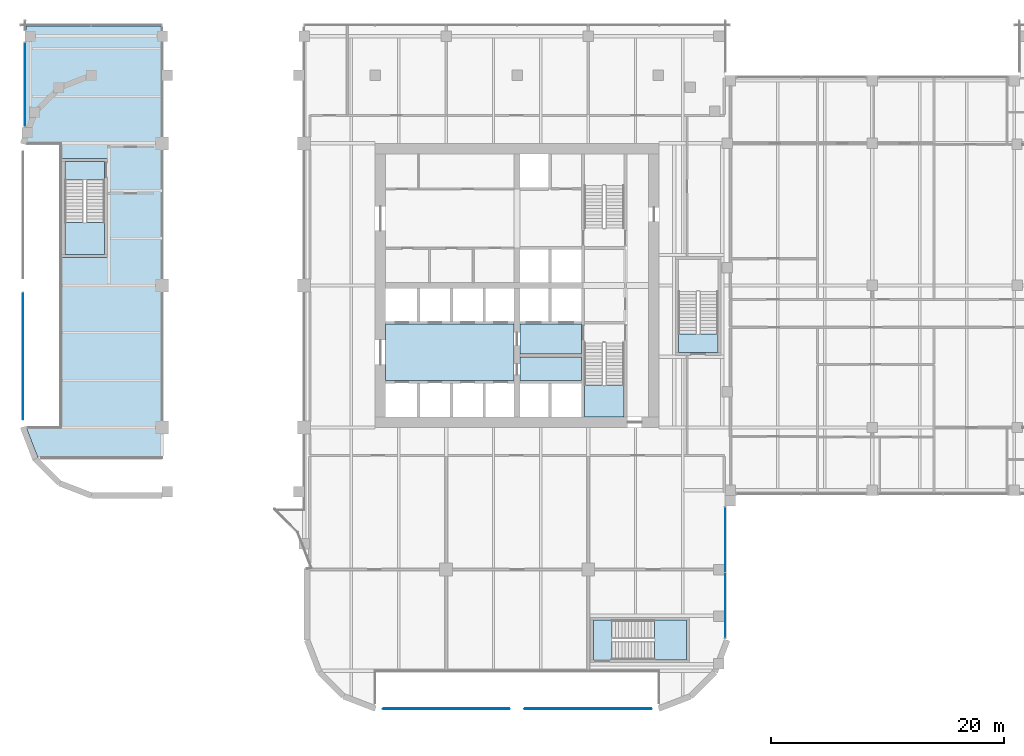
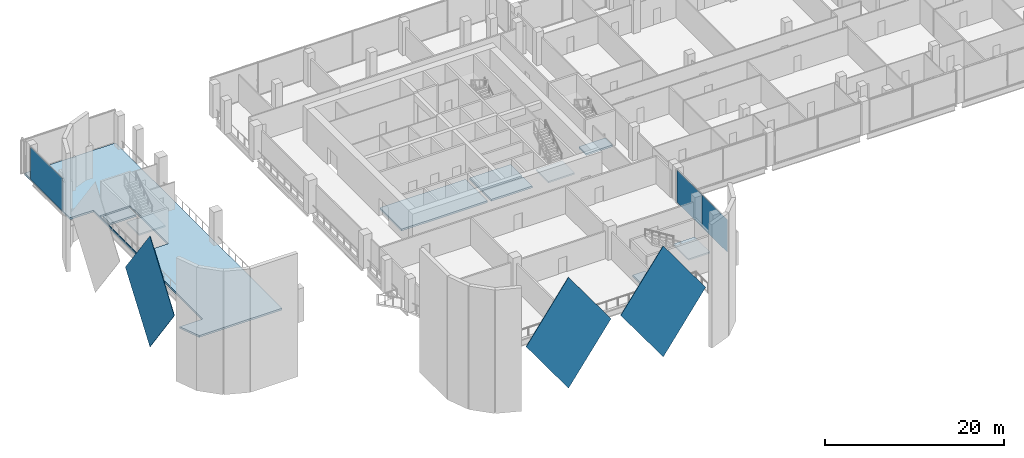
# One storey, part 18 of 33: 10 slabs, 6 plates, 5 elements without a shape of their own.
"""IFC4 building model written with IfcOpenShell, lengths in metres."""

from ifc_helpers import new_model, si_unit, direction, frame, origin, origin_2d, place, context, subcontext, project, spatial, polyline, rectangle, outline, extrude, source, transform, mapped, material, layer, layer_set, type_object, element, aggregate, save


model = new_model("IFC4")

# Units and contexts
model_context = context("Model", 3, precision=1e-05, world=origin(), true_north=direction((0.0, 1.0)))
body_context = subcontext(model_context, "Body", "Model", "MODEL_VIEW")
ifc_project = project(units=[si_unit("LENGTHUNIT", "METRE"), si_unit("AREAUNIT", "SQUARE_METRE"), si_unit("VOLUMEUNIT", "CUBIC_METRE"), si_unit("PLANEANGLEUNIT", "RADIAN"), si_unit("MASSUNIT", "GRAM", prefix="KILO")], contexts=[model_context])

# Site, building, storey
site_placement = place(None, origin())
site = spatial("IfcSite", under=ifc_project, at=site_placement, CompositionType="ELEMENT")
building_placement = place(site_placement, origin())
building = spatial("IfcBuilding", under=site, at=building_placement, Name="Tessera Gate Towers", CompositionType="ELEMENT")
storey_placement = place(building_placement, frame((0.0, 0.0, 7.199951171875)))
storey = spatial("IfcBuildingStorey", under=building, at=storey_placement, Name="L01", CompositionType="ELEMENT", Elevation=7.199951171875)

# Slabs
ifc_material_1 = material(Name="Concrete C35/45", Category="concrete")
ifc_layer_1 = layer(ifc_material_1, 0.25)
ifc_layer_set_1 = layer_set([ifc_layer_1], Name="COMPOSITE FLOOR 250")
slab_type_1 = type_object("IfcSlabType", Name="COMPOSITE FLOOR 250", PredefinedType="FLOOR", material=ifc_layer_set_1)
slab_1_placement = place(storey_placement, frame((0.0, 0.0, -0.25)))
element("IfcSlab", 1, at=slab_1_placement, inside=storey, type_object=slab_type_1, Name="PD-L01-1", PredefinedType="FLOOR", context=body_context, shape_type="SweptSolid", body=[
    extrude(outline(polyline([(0.5, 48.800048828125), (3.5, 48.800048828125), (3.5, 24.39990234375), (0.535888671875, 24.39990234375), (1.526123046875, 21.8330078125), (1.55908203125, 21.800048828125), (12.199951171875, 21.800048828125), (12.199951171875, 58.89990234375), (0.5, 58.89990234375), (0.5, 48.800048828125)]), holes=[polyline([(3.60009765625, 39.0), (3.60009765625, 47.5), (7.5, 47.5), (7.5, 39.0), (3.60009765625, 39.0)])]), origin(), (0.0, 0.0, 1.0), 0.25),
])
ifc_material_2 = material(Name="Concrete C35/45", Category="concrete")
ifc_layer_2 = layer(ifc_material_2, 0.25)
ifc_layer_set_2 = layer_set([ifc_layer_2], Name="CORE FLOOR SLAB 250")
slab_type_2 = type_object("IfcSlabType", Name="CORE FLOOR SLAB 250", PredefinedType="FLOOR", material=ifc_layer_set_2)
slab_2_placement = place(storey_placement, frame((0.0, 0.0, -0.25)))
element("IfcSlab", 2, at=slab_2_placement, inside=storey, type_object=slab_type_2, Name="L01 core floor slab", PredefinedType="FLOOR", context=body_context, shape_type="SweptSolid", body=[
    extrude(outline(polyline([(42.449951171875, 28.425048828125), (42.449951171875, 33.27490234375), (31.39990234375, 33.27490234375), (31.39990234375, 28.425048828125), (42.449951171875, 28.425048828125)])), origin(), (0.0, 0.0, 1.0), 0.25),
])
slab_3_placement = place(storey_placement, frame((0.0, 0.0, -0.25)))
element("IfcSlab", 3, at=slab_3_placement, inside=storey, type_object=slab_type_2, Name="L01 core floor slab", PredefinedType="FLOOR", context=body_context, shape_type="SweptSolid", body=[
    extrude(outline(polyline([(42.949951171875, 33.27490234375), (42.949951171875, 30.72509765625), (48.22509765625, 30.72509765625), (48.22509765625, 33.27490234375), (42.949951171875, 33.27490234375)])), origin(), (0.0, 0.0, 1.0), 0.25),
])
slab_4_placement = place(storey_placement, frame((0.0, 0.0, -0.25)))
element("IfcSlab", 4, at=slab_4_placement, inside=storey, type_object=slab_type_2, Name="L01 core floor slab", PredefinedType="FLOOR", context=body_context, shape_type="SweptSolid", body=[
    extrude(outline(polyline([(42.949951171875, 30.47509765625), (42.949951171875, 28.425048828125), (48.22509765625, 28.425048828125), (48.22509765625, 30.47509765625), (42.949951171875, 30.47509765625)])), origin(), (0.0, 0.0, 1.0), 0.25),
])
slab_5_placement = place(storey_placement, frame((0.0, 0.0, -0.25)))
element("IfcSlab", 5, at=slab_5_placement, inside=storey, type_object=slab_type_2, Name="L01 ST3 floor landing", PredefinedType="FLOOR", context=body_context, shape_type="SweptSolid", body=[
    extrude(outline(polyline([(3.85009765625, 47.25), (3.85009765625, 45.64990234375), (7.25, 45.64990234375), (7.25, 47.25), (3.85009765625, 47.25)])), origin(), (0.0, 0.0, 1.0), 0.25),
])
slab_6_placement = place(storey_placement, frame((0.0, 0.0, -0.25)))
element("IfcSlab", 6, at=slab_6_placement, inside=storey, type_object=slab_type_2, Name="L01 ST4 floor landing", PredefinedType="FLOOR", context=body_context, shape_type="SweptSolid", body=[
    extrude(outline(polyline([(49.25, 4.449951171875), (50.85009765625, 4.449951171875), (50.85009765625, 7.85009765625), (49.25, 7.85009765625), (49.25, 4.449951171875)])), origin(), (0.0, 0.0, 1.0), 0.25),
])
slab_7_placement = place(storey_placement, frame((0.0, 0.0, -0.25)))
element("IfcSlab", 7, at=slab_7_placement, inside=storey, type_object=slab_type_2, Name="L01 ST5 floor landing", PredefinedType="FLOOR", context=body_context, shape_type="SweptSolid", body=[
    extrude(outline(polyline([(59.949951171875, 30.85009765625), (59.949951171875, 32.449951171875), (56.550048828125, 32.449951171875), (56.550048828125, 30.85009765625), (59.949951171875, 30.85009765625)])), origin(), (0.0, 0.0, 1.0), 0.25),
])

# Stair, slab
ifc_material_3 = material(Name="Concrete C40/50", Category="concrete")
stair_type_1 = type_object("IfcStairType", Name="EXIT STAIR ST1A 1600", PredefinedType="HALF_TURN_STAIR", material=ifc_material_3)
stair_1_placement = place(storey_placement, origin())
stair_1 = element("IfcStair", 8, at=stair_1_placement, inside=storey, type_object=stair_type_1, Name="L01 Protected Exit Stair ST1", PredefinedType="HALF_TURN_STAIR")
ifc_material_4 = material(Name="Concrete C40/50", Category="concrete")
ifc_layer_3 = layer(ifc_material_4, 0.199951171875)
ifc_layer_set_3 = layer_set([ifc_layer_3], Name="EXIT STAIR LANDING 200")
slab_type_3 = type_object("IfcSlabType", Name="EXIT STAIR LANDING 200", PredefinedType="LANDING", material=ifc_layer_set_3)
slab_8_placement = place(storey_placement, frame((0.0, 0.0, 2.199951171875)))
slab_8 = element("IfcSlab", 9, at=slab_8_placement, type_object=slab_type_3, Name="ST1 landing 1", PredefinedType="LANDING", context=body_context, shape_type="SweptSolid", body=[
    extrude(outline(polyline([(48.47509765625, 28.034912109375), (48.47509765625, 25.300048828125), (51.875, 25.300048828125), (51.875, 28.034912109375), (48.47509765625, 28.034912109375)])), origin(), (0.0, 0.0, 1.0), 0.2001953125),
])
aggregate(stair_1, [slab_8])

ifc_material_5 = material(Name="Concrete C40/50", Category="concrete")
stair_type_2 = type_object("IfcStairType", Name="EXIT STAIR ST3A 1600", PredefinedType="HALF_TURN_STAIR", material=ifc_material_5)
stair_2_placement = place(storey_placement, origin())
stair_2 = element("IfcStair", 10, at=stair_2_placement, inside=storey, type_object=stair_type_2, Name="L01 West Exit Stair ST3", PredefinedType="HALF_TURN_STAIR")
slab_9_placement = place(storey_placement, frame((0.0, 0.0, 2.199951171875)))
slab_9 = element("IfcSlab", 11, at=slab_9_placement, type_object=slab_type_3, Name="ST3 landing 1", PredefinedType="LANDING", context=body_context, shape_type="SweptSolid", body=[
    extrude(outline(polyline([(3.85009765625, 42.010009765625), (3.85009765625, 39.25), (7.25, 39.25), (7.25, 42.010009765625), (3.85009765625, 42.010009765625)])), origin(), (0.0, 0.0, 1.0), 0.2001953125),
])
aggregate(stair_2, [slab_9])

ifc_material_6 = material(Name="Concrete C40/50", Category="concrete")
stair_type_3 = type_object("IfcStairType", Name="EXIT STAIR ST4A 1600", PredefinedType="HALF_TURN_STAIR", material=ifc_material_6)
stair_3_placement = place(storey_placement, origin())
stair_3 = element("IfcStair", 12, at=stair_3_placement, inside=storey, type_object=stair_type_3, Name="L01 South Exit Stair ST4", PredefinedType="HALF_TURN_STAIR")
slab_10_placement = place(storey_placement, frame((0.0, 0.0, 2.199951171875)))
slab_10 = element("IfcSlab", 13, at=slab_10_placement, type_object=slab_type_3, Name="ST4 landing 1", PredefinedType="LANDING", context=body_context, shape_type="SweptSolid", body=[
    extrude(outline(polyline([(54.489990234375, 4.449951171875), (57.25, 4.449951171875), (57.25, 7.85009765625), (54.489990234375, 7.85009765625), (54.489990234375, 4.449951171875)])), origin(), (0.0, 0.0, 1.0), 0.2001953125),
])
aggregate(stair_3, [slab_10])

# Curtain wall, plates
ifc_material_7 = material(Name="Aluminium frame", Category="aluminium")
curtain_wall_type = type_object("IfcCurtainWallType", Name="CW-S1 podium storefront", PredefinedType="NOTDEFINED", material=ifc_material_7)
curtain_wall_1_placement = place(storey_placement, origin())
curtain_wall_1 = element("IfcCurtainWall", 14, at=curtain_wall_1_placement, inside=storey, type_object=curtain_wall_type, Name="Curtain wall podium storefront 0148", PredefinedType="NOTDEFINED")
ifc_material_8 = material(Name="Low-e laminated glass", Category="glass")
ifc_layer_4 = layer(ifc_material_8, 0.028076171875)
ifc_layer_set_4 = layer_set([ifc_layer_4], Name="PN-S1 glass panel 28")
plate_type_1 = type_object("IfcPlateType", Name="PN-S1 glass panel 28", PredefinedType="CURTAIN_PANEL", material=ifc_layer_set_4)
plate_1_placement = place(storey_placement, frame((60.574951171875, 9.119873046875, 0.06005859375), z_axis=(0.0, 0.0, 1.0), x_axis=(0.0, 1.0, 0.0)))
plate_1 = element("IfcPlate", 15, at=plate_1_placement, type_object=plate_type_1, Name="PD-CW1-0148 panel 1.1", PredefinedType="CURTAIN_PANEL", context=body_context, shape_type="SweptSolid", body=[
    extrude(rectangle(XDim=5.586669921875, YDim=0.028076171875, at=origin_2d()), origin(), (0.0, 0.0, 1.0), 4.429931640625),
])
plate_2_placement = place(storey_placement, frame((60.574951171875, 14.7666015625, 0.06005859375), z_axis=(0.0, 0.0, 1.0), x_axis=(0.0, 1.0, 0.0)))
plate_2 = element("IfcPlate", 16, at=plate_2_placement, type_object=plate_type_1, Name="PD-CW1-0148 panel 2.1", PredefinedType="CURTAIN_PANEL", context=body_context, shape_type="SweptSolid", body=[
    extrude(rectangle(XDim=5.586669921875, YDim=0.028076171875, at=origin_2d()), origin(), (0.0, 0.0, 1.0), 4.429931640625),
])
aggregate(curtain_wall_1, [plate_1, plate_2])

# Curtain wall, plate
curtain_wall_2_placement = place(storey_placement, origin())
curtain_wall_2 = element("IfcCurtainWall", 17, at=curtain_wall_2_placement, inside=storey, type_object=curtain_wall_type, Name="Curtain wall podium storefront 0215", PredefinedType="NOTDEFINED")
plate_3_placement = place(storey_placement, frame((0.425048828125, 53.860107421875, 0.06005859375), z_axis=(0.0, 0.0, 1.0), x_axis=(0.0, -1.0, 0.0)))
plate_3 = element("IfcPlate", 18, at=plate_3_placement, type_object=plate_type_1, Name="PD-CW1-0215 panel 1.1", PredefinedType="CURTAIN_PANEL", context=body_context, shape_type="SweptSolid", body=[
    extrude(rectangle(XDim=7.199951171875, YDim=0.028076171875, at=origin_2d()), origin(), (0.0, 0.0, 1.0), 4.429931640625),
])
aggregate(curtain_wall_2, [plate_3])

# Plates
ifc_material_9 = material(Name="Low-e laminated glass", Category="glass")
ifc_layer_5 = layer(ifc_material_9, 0.06005859375)
ifc_layer_set_5 = layer_set([ifc_layer_5], Name="PL2 rhombic pane")
plate_type_2 = type_object("IfcPlateType", Name="PL2 rhombic pane", PredefinedType="SHEET", material=ifc_layer_set_5)
shared_shape_1 = source(origin(), body_context, "Body", "SweptSolid", [
    extrude(outline(polyline([(5.440185546875, 0.0), (10.92236328125, 7.549072265625), (5.440185546875, 15.09814453125), (0.0, 7.549072265625), (5.440185546875, 0.0)])), frame((0.0, 0.030029296875, 0.0), z_axis=(0.0, -1.0, 0.0), x_axis=(1.0, 0.0, 0.0)), (0.0, 0.0, 1.0), 0.06005859375),
])
plate_4_placement = place(storey_placement, frame((31.15966796875, 0.25, -6.34912109375), z_axis=(0.0, 0.0, 1.0), x_axis=(1.0, 0.0, 0.0)))
element("IfcPlate", 19, at=plate_4_placement, inside=storey, type_object=plate_type_2, Name="Glass pane T1 PL2-2115", PredefinedType="SHEET", context=body_context, shape_type="MappedRepresentation", body=[
    mapped(shared_shape_1, transform((0.0, 0.0, 0.0), scale=1.0)),
])
shared_shape_2 = source(origin(), body_context, "Body", "SweptSolid", [
    extrude(outline(polyline([(5.482177734375, 0.0), (10.92236328125, 7.549072265625), (5.482177734375, 15.09814453125), (0.0, 7.549072265625), (5.482177734375, 0.0)])), frame((0.0, 0.030029296875, 0.0), z_axis=(0.0, -1.0, 0.0), x_axis=(1.0, 0.0, 0.0)), (0.0, 0.0, 1.0), 0.06005859375),
])
for number, where, z_axis, x_axis, name in (
    (20, (43.31787109375, 0.25, -6.34912109375), (0.0, 0.0, 1.0), (1.0, 0.0, 0.0), "Glass pane T1 PL2-2116"),
    (21, (0.25, 35.982177734375, -6.34912109375), (0.0, 0.0, 1.0), (0.0, -1.0, 0.0), "Glass pane T1 PL2-2118"),
):
    element("IfcPlate", number, at=place(storey_placement, frame(where, z_axis=z_axis, x_axis=x_axis)), inside=storey, type_object=plate_type_2, Name=name, PredefinedType="SHEET", context=body_context, shape_type="MappedRepresentation", body=[
        mapped(shared_shape_2, transform((0.0, 0.0, 0.0), scale=1.0)),
    ])

save(model, "model.ifc")
